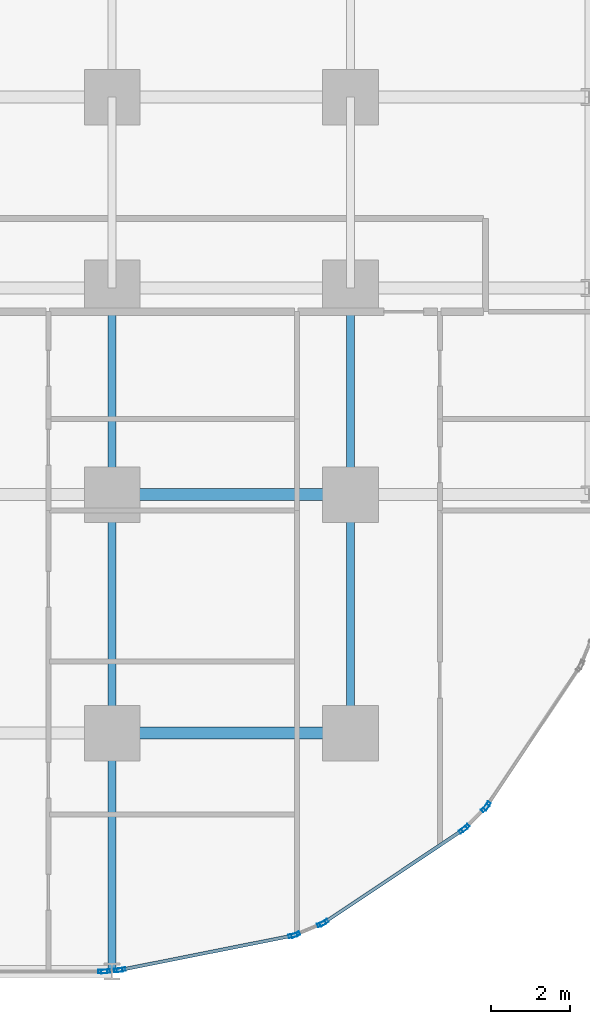
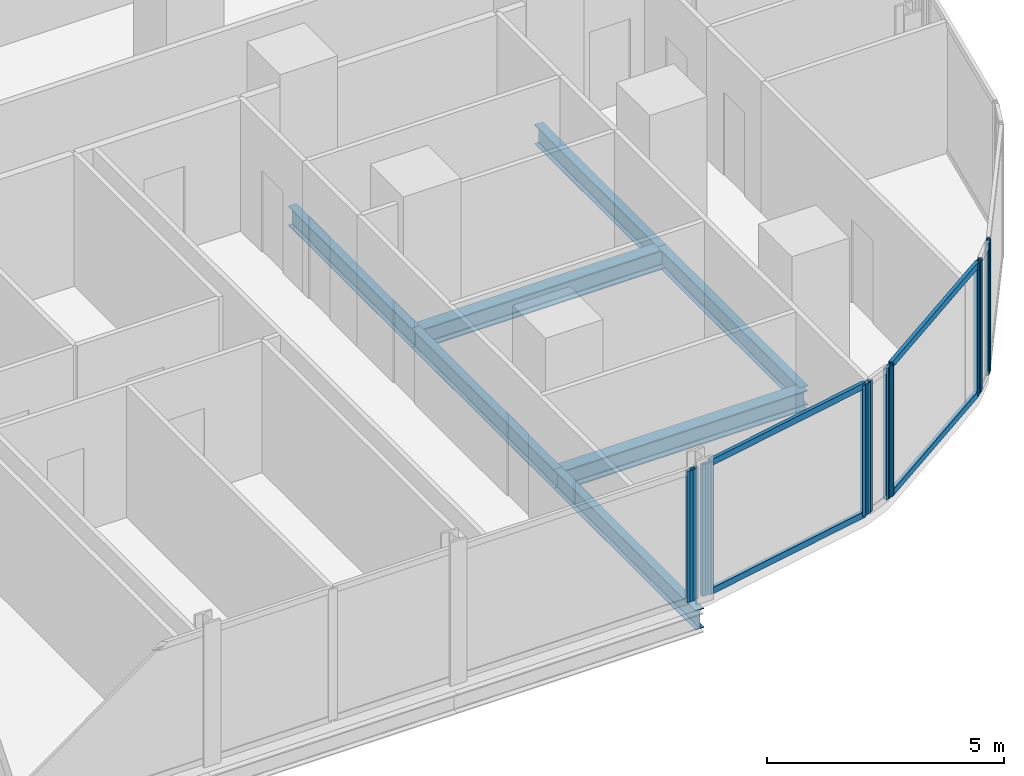
# One storey, part 9 of 33: 16 members, 7 beams, 7 elements without a shape of their own.
"""IFC4 building model written with IfcOpenShell, lengths in metres."""

from ifc_helpers import new_model, si_unit, direction, frame, origin, origin_2d, place, context, subcontext, project, spatial, hollow_rectangle, i_section, extrude, material, layer, layer_set, material_profile, profile_set, type_object, element, aggregate, save


model = new_model("IFC4")

# Units and contexts
model_context = context("Model", 3, precision=1e-05, world=origin(), true_north=direction((0.0, 1.0)))
body_context = subcontext(model_context, "Body", "Model", "MODEL_VIEW")
ifc_project = project(units=[si_unit("LENGTHUNIT", "METRE"), si_unit("AREAUNIT", "SQUARE_METRE"), si_unit("VOLUMEUNIT", "CUBIC_METRE"), si_unit("PLANEANGLEUNIT", "RADIAN"), si_unit("MASSUNIT", "GRAM", prefix="KILO")], contexts=[model_context])

# Site, building, storey
site_placement = place(None, origin())
site = spatial("IfcSite", under=ifc_project, at=site_placement, CompositionType="ELEMENT")
building_placement = place(site_placement, origin())
building = spatial("IfcBuilding", under=site, at=building_placement, Name="Keshet Zoharim Tower", CompositionType="ELEMENT")
storey_placement = place(building_placement, frame((0.0, 0.0, 49.89990234375)))
storey = spatial("IfcBuildingStorey", under=building, at=storey_placement, Name="L11", CompositionType="ELEMENT", Elevation=49.89990234375)

# Beams
ifc_material_1 = material(Name="Steel S355", Category="steel")
ifc_material_profile_1 = material_profile(ifc_material_1, i_section(OverallWidth=0.199951171875, OverallDepth=0.5, WebThickness=0.01025390625, FlangeThickness=0.01611328125, FilletRadius=0.02099609375, at=origin_2d()), Name="IPE500")
ifc_profile_set_1 = profile_set([ifc_material_profile_1], Name="Steel S355")
beam_type_1 = type_object("IfcBeamType", Name="BM-PRI-IP500", PredefinedType="BEAM", material=ifc_profile_set_1)
for number, where, z_axis, x_axis, name in (
    (1, (57.0, 0.699951171875, -0.56494140625), (0.0, 1.0, 0.0), (-1.0, 0.0, 0.0), "L11 Primary Girder Y-013"),
    (2, (57.0, 6.699951171875, -0.56494140625), (0.0, 1.0, 0.0), (-1.0, 0.0, 0.0), "L11 Primary Girder Y-014"),
):
    element("IfcBeam", number, at=place(storey_placement, frame(where, z_axis=z_axis, x_axis=x_axis)), inside=storey, type_object=beam_type_1, Name=name, PredefinedType="BEAM", context=body_context, shape_type="SweptSolid", body=[
        extrude(i_section(OverallWidth=0.199951171875, OverallDepth=0.5, WebThickness=0.01025390625, FlangeThickness=0.01611328125, FilletRadius=0.02099609375, at=origin_2d()), origin(), (0.0, 0.0, 1.0), 6.0),
    ])
beam_1_placement = place(storey_placement, frame((57.0, 12.699951171875, -0.56494140625), z_axis=(0.0, 1.0, 0.0), x_axis=(-1.0, 0.0, 0.0)))
element("IfcBeam", 3, at=beam_1_placement, inside=storey, type_object=beam_type_1, Name="L11 Primary Girder Y-015", PredefinedType="BEAM", context=body_context, shape_type="SweptSolid", body=[
    extrude(i_section(OverallWidth=0.199951171875, OverallDepth=0.5, WebThickness=0.01025390625, FlangeThickness=0.01611328125, FilletRadius=0.02099609375, at=origin_2d()), origin(), (0.0, 0.0, 1.0), 5.199951171875),
])
beam_2_placement = place(storey_placement, frame((63.0, 6.699951171875, -0.56494140625), z_axis=(0.0, 1.0, 0.0), x_axis=(-1.0, 0.0, 0.0)))
element("IfcBeam", 4, at=beam_2_placement, inside=storey, type_object=beam_type_1, Name="L11 Primary Girder Y-018", PredefinedType="BEAM", context=body_context, shape_type="SweptSolid", body=[
    extrude(i_section(OverallWidth=0.199951171875, OverallDepth=0.5, WebThickness=0.01025390625, FlangeThickness=0.01611328125, FilletRadius=0.02099609375, at=origin_2d()), origin(), (0.0, 0.0, 1.0), 6.0),
])
beam_3_placement = place(storey_placement, frame((63.0, 12.699951171875, -0.56494140625), z_axis=(0.0, 1.0, 0.0), x_axis=(-1.0, 0.0, 0.0)))
element("IfcBeam", 5, at=beam_3_placement, inside=storey, type_object=beam_type_1, Name="L11 Primary Girder Y-019", PredefinedType="BEAM", context=body_context, shape_type="SweptSolid", body=[
    extrude(i_section(OverallWidth=0.199951171875, OverallDepth=0.5, WebThickness=0.01025390625, FlangeThickness=0.01611328125, FilletRadius=0.02099609375, at=origin_2d()), origin(), (0.0, 0.0, 1.0), 5.199951171875),
])
ifc_material_profile_2 = material_profile(ifc_material_1, i_section(OverallWidth=0.300048828125, OverallDepth=0.5, WebThickness=0.014404296875, FlangeThickness=0.028076171875, FilletRadius=0.027099609375, at=origin_2d()), Name="HEB500")
ifc_profile_set_2 = profile_set([ifc_material_profile_2], Name="Steel S355")
beam_type_2 = type_object("IfcBeamType", Name="BM-WEB-HB500", PredefinedType="BEAM", material=ifc_profile_set_2)
for number, where, z_axis, x_axis, name in (
    (6, (57.0, 6.699951171875, -0.56494140625), (1.0, 0.0, 0.0), (0.0, 1.0, 0.0), "L11 Primary Girder X-010"),
    (7, (57.0, 12.699951171875, -0.56494140625), (1.0, 0.0, 0.0), (0.0, 1.0, 0.0), "L11 Primary Girder X-013"),
):
    element("IfcBeam", number, at=place(storey_placement, frame(where, z_axis=z_axis, x_axis=x_axis)), inside=storey, type_object=beam_type_2, Name=name, PredefinedType="BEAM", context=body_context, shape_type="SweptSolid", body=[
        extrude(i_section(OverallWidth=0.300048828125, OverallDepth=0.5, WebThickness=0.014404296875, FlangeThickness=0.028076171875, FilletRadius=0.027099609375, at=origin_2d()), origin(), (0.0, 0.0, 1.0), 6.0),
    ])

# Curtain wall, member
ifc_material_2 = material(Name="Aluminium 6063-T6", Category="aluminium")
ifc_layer = layer(ifc_material_2, 0.179931640625)
ifc_layer_set = layer_set([ifc_layer], Name="Aluminium 6063-T6")
curtain_wall_type = type_object("IfcCurtainWallType", Name="CW-SYS-01", PredefinedType="NOTDEFINED", material=ifc_layer_set)
curtain_wall_1_placement = place(storey_placement, origin())
curtain_wall_1 = element("IfcCurtainWall", 8, at=curtain_wall_1_placement, inside=storey, type_object=curtain_wall_type, Name="L11 Unitised Curtain Wall 20", PredefinedType="NOTDEFINED")
ifc_material_profile_3 = material_profile(ifc_material_2, hollow_rectangle(XDim=0.090087890625, YDim=0.219970703125, WallThickness=0.0048828125, at=origin_2d()), Name="MUL-90x220")
ifc_profile_set_3 = profile_set([ifc_material_profile_3], Name="Aluminium 6063-T6")
member_type_1 = type_object("IfcMemberType", Name="CWM-M22", PredefinedType="MULLION", material=ifc_profile_set_3)
member_1_placement = place(storey_placement, frame((66.432373046875, 4.8671875, 0.0), z_axis=(0.0, 0.0, 1.0), x_axis=(0.831474282335, -0.555563243758, 0.0)))
member_1 = element("IfcMember", 9, at=member_1_placement, type_object=member_type_1, Name="CW-01 mullion 2", PredefinedType="MULLION", context=body_context, shape_type="SweptSolid", body=[
    extrude(hollow_rectangle(XDim=0.090087890625, YDim=0.219970703125, WallThickness=0.0048828125, at=origin_2d()), origin(), (0.0, 0.0, 1.0), 3.385009765625),
])
aggregate(curtain_wall_1, [member_1])

# Curtain wall, members
curtain_wall_2_placement = place(storey_placement, origin())
curtain_wall_2 = element("IfcCurtainWall", 10, at=curtain_wall_2_placement, inside=storey, type_object=curtain_wall_type, Name="L11 Unitised Curtain Wall 21", PredefinedType="NOTDEFINED")
member_2_placement = place(storey_placement, frame((66.38818359375, 4.813232421875, 0.0), z_axis=(0.0, 0.0, 1.0), x_axis=(0.707106781187, -0.707106781187, 0.0)))
member_2 = element("IfcMember", 11, at=member_2_placement, type_object=member_type_1, Name="CW-01 mullion 1", PredefinedType="MULLION", context=body_context, shape_type="SweptSolid", body=[
    extrude(hollow_rectangle(XDim=0.090087890625, YDim=0.219970703125, WallThickness=0.0048828125, at=origin_2d()), origin(), (0.0, 0.0, 1.0), 3.385009765625),
])
member_3_placement = place(storey_placement, frame((65.88671875, 4.311767578125, 0.0), z_axis=(0.0, 0.0, 1.0), x_axis=(0.707106781187, -0.707106781187, 0.0)))
member_3 = element("IfcMember", 12, at=member_3_placement, type_object=member_type_1, Name="CW-01 mullion 2", PredefinedType="MULLION", context=body_context, shape_type="SweptSolid", body=[
    extrude(hollow_rectangle(XDim=0.090087890625, YDim=0.219970703125, WallThickness=0.0048828125, at=origin_2d()), origin(), (0.0, 0.0, 1.0), 3.385009765625),
])
aggregate(curtain_wall_2, [member_2, member_3])

curtain_wall_3_placement = place(storey_placement, origin())
curtain_wall_3 = element("IfcCurtainWall", 13, at=curtain_wall_3_placement, inside=storey, type_object=curtain_wall_type, Name="L11 Unitised Curtain Wall 22", PredefinedType="NOTDEFINED")
member_4_placement = place(storey_placement, frame((65.8330078125, 4.267578125, 0.0), z_axis=(0.0, 0.0, 1.0), x_axis=(0.555563243758, -0.831474282335, 0.0)))
member_4 = element("IfcMember", 14, at=member_4_placement, type_object=member_type_1, Name="CW-01 mullion 1", PredefinedType="MULLION", context=body_context, shape_type="SweptSolid", body=[
    extrude(hollow_rectangle(XDim=0.090087890625, YDim=0.219970703125, WallThickness=0.0048828125, at=origin_2d()), origin(), (0.0, 0.0, 1.0), 3.385009765625),
])
member_5_placement = place(storey_placement, frame((62.335205078125, 1.930419921875, 0.0), z_axis=(0.0, 0.0, 1.0), x_axis=(0.555563243758, -0.831474282335, 0.0)))
member_5 = element("IfcMember", 15, at=member_5_placement, type_object=member_type_1, Name="CW-01 mullion 2", PredefinedType="MULLION", context=body_context, shape_type="SweptSolid", body=[
    extrude(hollow_rectangle(XDim=0.090087890625, YDim=0.219970703125, WallThickness=0.0048828125, at=origin_2d()), origin(), (0.0, 0.0, 1.0), 3.385009765625),
])

curtain_wall_4_placement = place(storey_placement, origin())
curtain_wall_4 = element("IfcCurtainWall", 16, at=curtain_wall_4_placement, inside=storey, type_object=curtain_wall_type, Name="L11 Unitised Curtain Wall 23", PredefinedType="NOTDEFINED")
member_6_placement = place(storey_placement, frame((62.273681640625, 1.897705078125, 0.0), z_axis=(0.0, 0.0, 1.0), x_axis=(0.383068349739, -0.923720000557, 0.0)))
member_6 = element("IfcMember", 17, at=member_6_placement, type_object=member_type_1, Name="CW-01 mullion 1", PredefinedType="MULLION", context=body_context, shape_type="SweptSolid", body=[
    extrude(hollow_rectangle(XDim=0.090087890625, YDim=0.219970703125, WallThickness=0.0048828125, at=origin_2d()), origin(), (0.0, 0.0, 1.0), 3.385009765625),
])
member_7_placement = place(storey_placement, frame((61.617431640625, 1.62548828125, 0.0), z_axis=(0.0, 0.0, 1.0), x_axis=(0.383068349739, -0.923720000557, 0.0)))
member_7 = element("IfcMember", 18, at=member_7_placement, type_object=member_type_1, Name="CW-01 mullion 2", PredefinedType="MULLION", context=body_context, shape_type="SweptSolid", body=[
    extrude(hollow_rectangle(XDim=0.090087890625, YDim=0.219970703125, WallThickness=0.0048828125, at=origin_2d()), origin(), (0.0, 0.0, 1.0), 3.385009765625),
])
aggregate(curtain_wall_4, [member_6, member_7])

curtain_wall_5_placement = place(storey_placement, origin())
curtain_wall_5 = element("IfcCurtainWall", 19, at=curtain_wall_5_placement, inside=storey, type_object=curtain_wall_type, Name="L11 Unitised Curtain Wall 24", PredefinedType="NOTDEFINED")
member_8_placement = place(storey_placement, frame((61.55078125, 1.605224609375, 0.0), z_axis=(0.0, 0.0, 1.0), x_axis=(0.195171279072, -0.98076917357, 0.0)))
member_8 = element("IfcMember", 20, at=member_8_placement, type_object=member_type_1, Name="CW-01 mullion 1", PredefinedType="MULLION", context=body_context, shape_type="SweptSolid", body=[
    extrude(hollow_rectangle(XDim=0.090087890625, YDim=0.219970703125, WallThickness=0.0048828125, at=origin_2d()), origin(), (0.0, 0.0, 1.0), 3.385009765625),
])
member_9_placement = place(storey_placement, frame((57.227294921875, 0.744873046875, 0.0), z_axis=(0.0, 0.0, 1.0), x_axis=(0.195171279072, -0.98076917357, 0.0)))
member_9 = element("IfcMember", 21, at=member_9_placement, type_object=member_type_1, Name="CW-01 mullion 2", PredefinedType="MULLION", context=body_context, shape_type="SweptSolid", body=[
    extrude(hollow_rectangle(XDim=0.090087890625, YDim=0.219970703125, WallThickness=0.0048828125, at=origin_2d()), origin(), (0.0, 0.0, 1.0), 3.385009765625),
])

curtain_wall_6_placement = place(storey_placement, origin())
curtain_wall_6 = element("IfcCurtainWall", 22, at=curtain_wall_6_placement, inside=storey, type_object=curtain_wall_type, Name="L11 Unitised Curtain Wall 25", PredefinedType="NOTDEFINED")
member_10_placement = place(storey_placement, frame((57.158203125, 0.734619140625, 0.0), z_axis=(0.0, 0.0, 1.0), x_axis=(0.096976648633, -0.995286657009, 0.0)))
member_10 = element("IfcMember", 23, at=member_10_placement, type_object=member_type_1, Name="CW-01 mullion 1", PredefinedType="MULLION", context=body_context, shape_type="SweptSolid", body=[
    extrude(hollow_rectangle(XDim=0.090087890625, YDim=0.219970703125, WallThickness=0.0048828125, at=origin_2d()), origin(), (0.0, 0.0, 1.0), 3.385009765625),
])
member_11_placement = place(storey_placement, frame((56.837890625, 0.703369140625, 0.0), z_axis=(0.0, 0.0, 1.0), x_axis=(0.096976648633, -0.995286657009, 0.0)))
member_11 = element("IfcMember", 24, at=member_11_placement, type_object=member_type_1, Name="CW-01 mullion 2", PredefinedType="MULLION", context=body_context, shape_type="SweptSolid", body=[
    extrude(hollow_rectangle(XDim=0.090087890625, YDim=0.219970703125, WallThickness=0.0048828125, at=origin_2d()), origin(), (0.0, 0.0, 1.0), 3.385009765625),
])
aggregate(curtain_wall_6, [member_10, member_11])

# Curtain wall, member
curtain_wall_7_placement = place(storey_placement, origin())
curtain_wall_7 = element("IfcCurtainWall", 25, at=curtain_wall_7_placement, inside=storey, type_object=curtain_wall_type, Name="L11 Unitised Curtain Wall 26", PredefinedType="NOTDEFINED")
member_12_placement = place(storey_placement, frame((56.76806640625, 0.699951171875, 0.0), z_axis=(0.0, 0.0, 1.0), x_axis=(0.0, -1.0, 0.0)))
member_12 = element("IfcMember", 26, at=member_12_placement, type_object=member_type_1, Name="CW-01 mullion 1", PredefinedType="MULLION", context=body_context, shape_type="SweptSolid", body=[
    extrude(hollow_rectangle(XDim=0.090087890625, YDim=0.219970703125, WallThickness=0.0048828125, at=origin_2d()), origin(), (0.0, 0.0, 1.0), 3.385009765625),
])
aggregate(curtain_wall_7, [member_12])

# Member
ifc_material_profile_4 = material_profile(ifc_material_2, hollow_rectangle(XDim=0.0849609375, YDim=0.159912109375, WallThickness=0.00439453125, at=origin_2d()), Name="TRN-85x160")
ifc_profile_set_4 = profile_set([ifc_material_profile_4], Name="Aluminium 6063-T6")
member_type_2 = type_object("IfcMemberType", Name="CWT-T16", PredefinedType="USERDEFINED", material=ifc_profile_set_4)
member_13_placement = place(storey_placement, frame((65.8037109375, 4.248046875, 0.03515625), z_axis=(-0.831477809106, -0.55555796544, 0.0), x_axis=(0.55555796544, -0.831477809106, 0.0)))
member_13 = element("IfcMember", 27, at=member_13_placement, type_object=member_type_2, Name="CW-01 transom 1.1", ObjectType="TRANSOM", PredefinedType="USERDEFINED", context=body_context, shape_type="SweptSolid", body=[
    extrude(hollow_rectangle(XDim=0.0849609375, YDim=0.159912109375, WallThickness=0.00439453125, at=origin_2d()), origin(), (0.0, 0.0, 1.0), 4.136474609375),
])

member_14_placement = place(storey_placement, frame((65.8037109375, 4.248046875, 3.35009765625), z_axis=(-0.831477809106, -0.55555796544, 0.0), x_axis=(0.55555796544, -0.831477809106, 0.0)))
member_14 = element("IfcMember", 28, at=member_14_placement, type_object=member_type_2, Name="CW-01 transom 1.2", ObjectType="TRANSOM", PredefinedType="USERDEFINED", context=body_context, shape_type="SweptSolid", body=[
    extrude(hollow_rectangle(XDim=0.0849609375, YDim=0.159912109375, WallThickness=0.00439453125, at=origin_2d()), origin(), (0.0, 0.0, 1.0), 4.136474609375),
])

aggregate(curtain_wall_3, [member_4, member_5, member_13, member_14])

member_15_placement = place(storey_placement, frame((61.516357421875, 1.598388671875, 0.03515625), z_axis=(-0.980768540739, -0.195174459131, 0.0), x_axis=(0.195174459131, -0.980768540739, 0.0)))
member_15 = element("IfcMember", 29, at=member_15_placement, type_object=member_type_2, Name="CW-01 transom 1.1", ObjectType="TRANSOM", PredefinedType="USERDEFINED", context=body_context, shape_type="SweptSolid", body=[
    extrude(hollow_rectangle(XDim=0.0849609375, YDim=0.159912109375, WallThickness=0.00439453125, at=origin_2d()), origin(), (0.0, 0.0, 1.0), 4.338134765625),
])

member_16_placement = place(storey_placement, frame((61.516357421875, 1.598388671875, 3.35009765625), z_axis=(-0.980768540739, -0.195174459131, 0.0), x_axis=(0.195174459131, -0.980768540739, 0.0)))
member_16 = element("IfcMember", 30, at=member_16_placement, type_object=member_type_2, Name="CW-01 transom 1.2", ObjectType="TRANSOM", PredefinedType="USERDEFINED", context=body_context, shape_type="SweptSolid", body=[
    extrude(hollow_rectangle(XDim=0.0849609375, YDim=0.159912109375, WallThickness=0.00439453125, at=origin_2d()), origin(), (0.0, 0.0, 1.0), 4.338134765625),
])

aggregate(curtain_wall_5, [member_8, member_9, member_15, member_16])

save(model, "model.ifc")
